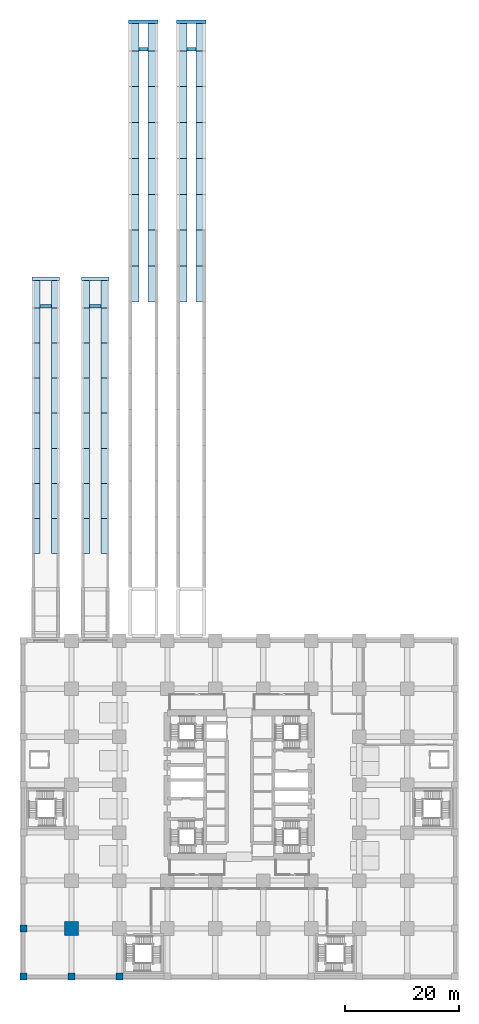
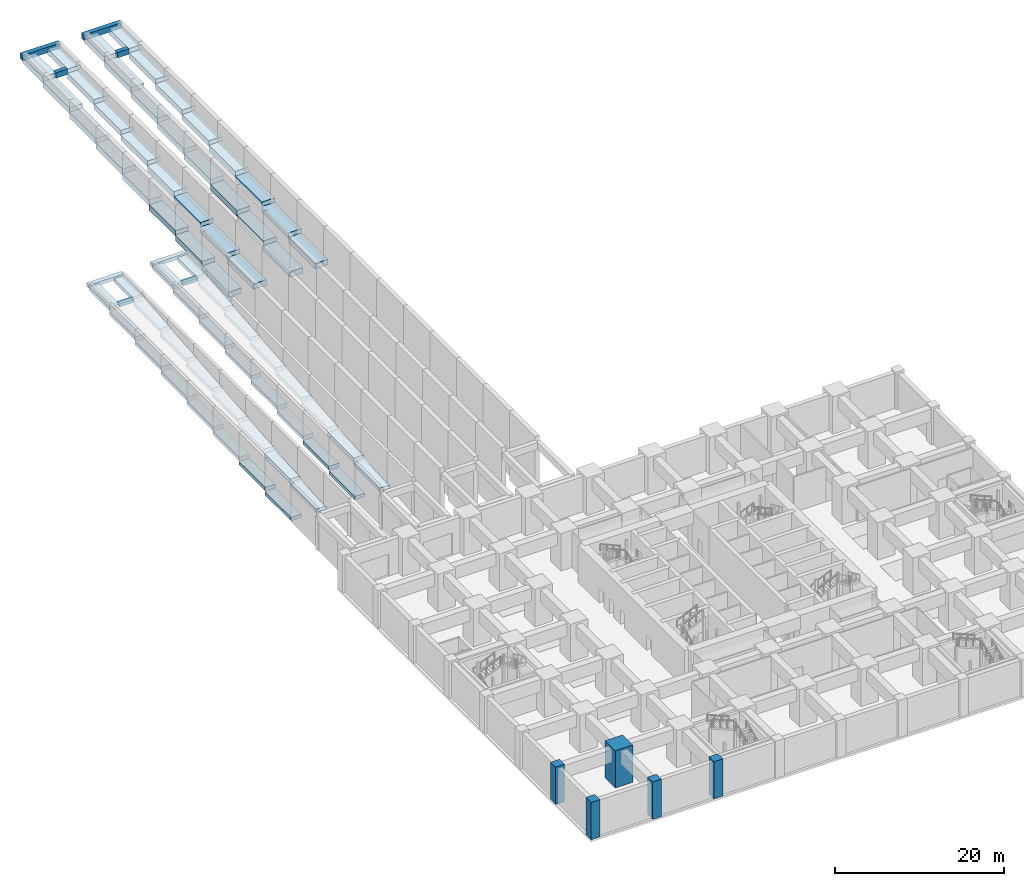
# One storey, part 1 of 20: 72 footings, 5 columns.
"""IFC4 building model written with IfcOpenShell, lengths in metres."""

from ifc_helpers import new_model, si_unit, direction, frame, origin, origin_2d, place, context, subcontext, project, spatial, rectangle, extrude, material, material_profile, profile_set, type_object, element, save


model = new_model("IFC4")

# Units and contexts
model_context = context("Model", 3, precision=1e-05, world=origin(), true_north=direction((0.0, 1.0)))
body_context = subcontext(model_context, "Body", "Model", "MODEL_VIEW")
ifc_project = project(units=[si_unit("LENGTHUNIT", "METRE"), si_unit("AREAUNIT", "SQUARE_METRE"), si_unit("VOLUMEUNIT", "CUBIC_METRE"), si_unit("PLANEANGLEUNIT", "RADIAN"), si_unit("MASSUNIT", "GRAM", prefix="KILO")], contexts=[model_context])

# Site, building, storey
site_placement = place(None, origin())
site = spatial("IfcSite", under=ifc_project, at=site_placement, CompositionType="ELEMENT")
building_placement = place(site_placement, origin())
building = spatial("IfcBuilding", under=site, at=building_placement, Name="Rekha Terrace Tower", CompositionType="ELEMENT")
storey_placement = place(building_placement, frame((0.0, 0.0, -5.39990234375)))
storey = spatial("IfcBuildingStorey", under=building, at=storey_placement, Name="B-01", CompositionType="ELEMENT", Elevation=-5.39990234375)

# Footings
ifc_material_1 = material(Name="Concrete M40", Category="concrete")
footing_type_1 = type_object("IfcFootingType", Name="FS1 1400x500 strip footing", PredefinedType="STRIP_FOOTING", material=ifc_material_1)
for number, where, z_axis, x_axis, name in (
    (1, (2.199951171875, 77.125, 0.054931640625), (0.0, 0.0, 1.0), (1.0, 0.0, 0.0), "Ramp 1 strip footing FS1 W4"),
    (2, (2.199951171875, 83.27490234375, 0.669921875), (0.0, 0.0, 1.0), (1.0, 0.0, 0.0), "Ramp 1 strip footing FS1 W5"),
    (3, (2.199951171875, 89.425048828125, 1.284912109375), (0.0, 0.0, 1.0), (1.0, 0.0, 0.0), "Ramp 1 strip footing FS1 W6"),
    (4, (2.199951171875, 95.574951171875, 1.89990234375), (0.0, 0.0, 1.0), (1.0, 0.0, 0.0), "Ramp 1 strip footing FS1 W7"),
    (5, (2.199951171875, 101.72509765625, 2.514892578125), (0.0, 0.0, 1.0), (1.0, 0.0, 0.0), "Ramp 1 strip footing FS1 W8"),
    (6, (2.199951171875, 107.875, 3.1298828125), (0.0, 0.0, 1.0), (1.0, 0.0, 0.0), "Ramp 1 strip footing FS1 W9"),
    (7, (2.199951171875, 114.02490234375, 3.744873046875), (0.0, 0.0, 1.0), (1.0, 0.0, 0.0), "Ramp 1 strip footing FS1 W10"),
):
    element("IfcFooting", number, at=place(storey_placement, frame(where, z_axis=z_axis, x_axis=x_axis)), inside=storey, type_object=footing_type_1, Name=name, PredefinedType="STRIP_FOOTING", context=body_context, shape_type="SweptSolid", body=[
        extrude(rectangle(XDim=1.39990234375, YDim=6.14990234375, at=origin_2d()), origin(), (0.0, 0.0, 1.0), 0.5),
    ])
footing_1_placement = place(storey_placement, frame((2.199951171875, 119.5, 4.35986328125), z_axis=(0.0, 0.0, 1.0), x_axis=(1.0, 0.0, 0.0)))
element("IfcFooting", 8, at=footing_1_placement, inside=storey, type_object=footing_type_1, Name="Ramp 1 strip footing FS1 W11", PredefinedType="STRIP_FOOTING", context=body_context, shape_type="SweptSolid", body=[
    extrude(rectangle(XDim=1.39990234375, YDim=4.800048828125, at=origin_2d()), origin(), (0.0, 0.0, 1.0), 0.5),
])
for number, where, z_axis, x_axis, name in (
    (9, (5.60009765625, 77.125, 0.054931640625), (0.0, 0.0, 1.0), (1.0, 0.0, 0.0), "Ramp 1 strip footing FS1 E4"),
    (10, (5.60009765625, 83.27490234375, 0.669921875), (0.0, 0.0, 1.0), (1.0, 0.0, 0.0), "Ramp 1 strip footing FS1 E5"),
    (11, (5.60009765625, 89.425048828125, 1.284912109375), (0.0, 0.0, 1.0), (1.0, 0.0, 0.0), "Ramp 1 strip footing FS1 E6"),
    (12, (5.60009765625, 95.574951171875, 1.89990234375), (0.0, 0.0, 1.0), (1.0, 0.0, 0.0), "Ramp 1 strip footing FS1 E7"),
    (13, (5.60009765625, 101.72509765625, 2.514892578125), (0.0, 0.0, 1.0), (1.0, 0.0, 0.0), "Ramp 1 strip footing FS1 E8"),
    (14, (5.60009765625, 107.875, 3.1298828125), (0.0, 0.0, 1.0), (1.0, 0.0, 0.0), "Ramp 1 strip footing FS1 E9"),
    (15, (5.60009765625, 114.02490234375, 3.744873046875), (0.0, 0.0, 1.0), (1.0, 0.0, 0.0), "Ramp 1 strip footing FS1 E10"),
):
    element("IfcFooting", number, at=place(storey_placement, frame(where, z_axis=z_axis, x_axis=x_axis)), inside=storey, type_object=footing_type_1, Name=name, PredefinedType="STRIP_FOOTING", context=body_context, shape_type="SweptSolid", body=[
        extrude(rectangle(XDim=1.39990234375, YDim=6.14990234375, at=origin_2d()), origin(), (0.0, 0.0, 1.0), 0.5),
    ])
footing_2_placement = place(storey_placement, frame((5.60009765625, 119.5, 4.35986328125), z_axis=(0.0, 0.0, 1.0), x_axis=(1.0, 0.0, 0.0)))
element("IfcFooting", 16, at=footing_2_placement, inside=storey, type_object=footing_type_1, Name="Ramp 1 strip footing FS1 E11", PredefinedType="STRIP_FOOTING", context=body_context, shape_type="SweptSolid", body=[
    extrude(rectangle(XDim=1.39990234375, YDim=4.800048828125, at=origin_2d()), origin(), (0.0, 0.0, 1.0), 0.5),
])
for number, where, z_axis, x_axis, name in (
    (17, (10.89990234375, 77.125, 0.054931640625), (0.0, 0.0, 1.0), (1.0, 0.0, 0.0), "Ramp 2 strip footing FS1 W4"),
    (18, (10.89990234375, 83.27490234375, 0.669921875), (0.0, 0.0, 1.0), (1.0, 0.0, 0.0), "Ramp 2 strip footing FS1 W5"),
    (19, (10.89990234375, 89.425048828125, 1.284912109375), (0.0, 0.0, 1.0), (1.0, 0.0, 0.0), "Ramp 2 strip footing FS1 W6"),
    (20, (10.89990234375, 95.574951171875, 1.89990234375), (0.0, 0.0, 1.0), (1.0, 0.0, 0.0), "Ramp 2 strip footing FS1 W7"),
    (21, (10.89990234375, 101.72509765625, 2.514892578125), (0.0, 0.0, 1.0), (1.0, 0.0, 0.0), "Ramp 2 strip footing FS1 W8"),
    (22, (10.89990234375, 107.875, 3.1298828125), (0.0, 0.0, 1.0), (1.0, 0.0, 0.0), "Ramp 2 strip footing FS1 W9"),
    (23, (10.89990234375, 114.02490234375, 3.744873046875), (0.0, 0.0, 1.0), (1.0, 0.0, 0.0), "Ramp 2 strip footing FS1 W10"),
):
    element("IfcFooting", number, at=place(storey_placement, frame(where, z_axis=z_axis, x_axis=x_axis)), inside=storey, type_object=footing_type_1, Name=name, PredefinedType="STRIP_FOOTING", context=body_context, shape_type="SweptSolid", body=[
        extrude(rectangle(XDim=1.39990234375, YDim=6.14990234375, at=origin_2d()), origin(), (0.0, 0.0, 1.0), 0.5),
    ])
footing_3_placement = place(storey_placement, frame((10.89990234375, 119.5, 4.35986328125), z_axis=(0.0, 0.0, 1.0), x_axis=(1.0, 0.0, 0.0)))
element("IfcFooting", 24, at=footing_3_placement, inside=storey, type_object=footing_type_1, Name="Ramp 2 strip footing FS1 W11", PredefinedType="STRIP_FOOTING", context=body_context, shape_type="SweptSolid", body=[
    extrude(rectangle(XDim=1.39990234375, YDim=4.800048828125, at=origin_2d()), origin(), (0.0, 0.0, 1.0), 0.5),
])
for number, where, z_axis, x_axis, name in (
    (25, (14.300048828125, 77.125, 0.054931640625), (0.0, 0.0, 1.0), (1.0, 0.0, 0.0), "Ramp 2 strip footing FS1 E4"),
    (26, (14.300048828125, 83.27490234375, 0.669921875), (0.0, 0.0, 1.0), (1.0, 0.0, 0.0), "Ramp 2 strip footing FS1 E5"),
    (27, (14.300048828125, 89.425048828125, 1.284912109375), (0.0, 0.0, 1.0), (1.0, 0.0, 0.0), "Ramp 2 strip footing FS1 E6"),
    (28, (14.300048828125, 95.574951171875, 1.89990234375), (0.0, 0.0, 1.0), (1.0, 0.0, 0.0), "Ramp 2 strip footing FS1 E7"),
    (29, (14.300048828125, 101.72509765625, 2.514892578125), (0.0, 0.0, 1.0), (1.0, 0.0, 0.0), "Ramp 2 strip footing FS1 E8"),
    (30, (14.300048828125, 107.875, 3.1298828125), (0.0, 0.0, 1.0), (1.0, 0.0, 0.0), "Ramp 2 strip footing FS1 E9"),
    (31, (14.300048828125, 114.02490234375, 3.744873046875), (0.0, 0.0, 1.0), (1.0, 0.0, 0.0), "Ramp 2 strip footing FS1 E10"),
):
    element("IfcFooting", number, at=place(storey_placement, frame(where, z_axis=z_axis, x_axis=x_axis)), inside=storey, type_object=footing_type_1, Name=name, PredefinedType="STRIP_FOOTING", context=body_context, shape_type="SweptSolid", body=[
        extrude(rectangle(XDim=1.39990234375, YDim=6.14990234375, at=origin_2d()), origin(), (0.0, 0.0, 1.0), 0.5),
    ])
footing_4_placement = place(storey_placement, frame((14.300048828125, 119.5, 4.35986328125), z_axis=(0.0, 0.0, 1.0), x_axis=(1.0, 0.0, 0.0)))
element("IfcFooting", 32, at=footing_4_placement, inside=storey, type_object=footing_type_1, Name="Ramp 2 strip footing FS1 E11", PredefinedType="STRIP_FOOTING", context=body_context, shape_type="SweptSolid", body=[
    extrude(rectangle(XDim=1.39990234375, YDim=4.800048828125, at=origin_2d()), origin(), (0.0, 0.0, 1.0), 0.5),
])
footing_type_2 = type_object("IfcFootingType", Name="FS2 1800x800 strip footing", PredefinedType="STRIP_FOOTING", material=ifc_material_1)
for number, where, z_axis, x_axis, name in (
    (33, (19.300048828125, 121.280029296875, -0.3359375), (0.0, 0.0, 1.0), (1.0, 0.0, 0.0), "Ramp 3 strip footing FS2 W11"),
    (34, (19.300048828125, 127.56005859375, 0.2919921875), (0.0, 0.0, 1.0), (1.0, 0.0, 0.0), "Ramp 3 strip footing FS2 W12"),
    (35, (19.300048828125, 133.840087890625, 0.919921875), (0.0, 0.0, 1.0), (1.0, 0.0, 0.0), "Ramp 3 strip footing FS2 W13"),
    (36, (19.300048828125, 140.1201171875, 1.5478515625), (0.0, 0.0, 1.0), (1.0, 0.0, 0.0), "Ramp 3 strip footing FS2 W14"),
    (37, (19.300048828125, 146.39990234375, 2.17578125), (0.0, 0.0, 1.0), (1.0, 0.0, 0.0), "Ramp 3 strip footing FS2 W15"),
    (38, (19.300048828125, 152.679931640625, 2.8037109375), (0.0, 0.0, 1.0), (1.0, 0.0, 0.0), "Ramp 3 strip footing FS2 W16"),
    (39, (19.300048828125, 158.9599609375, 3.431640625), (0.0, 0.0, 1.0), (1.0, 0.0, 0.0), "Ramp 3 strip footing FS2 W17"),
):
    element("IfcFooting", number, at=place(storey_placement, frame(where, z_axis=z_axis, x_axis=x_axis)), inside=storey, type_object=footing_type_2, Name=name, PredefinedType="STRIP_FOOTING", context=body_context, shape_type="SweptSolid", body=[
        extrude(rectangle(XDim=1.800048828125, YDim=6.280029296875, at=origin_2d()), origin(), (0.0, 0.0, 1.0), 0.800048828125),
    ])
footing_5_placement = place(storey_placement, frame((19.300048828125, 164.5, 4.06005859375), z_axis=(0.0, 0.0, 1.0), x_axis=(1.0, 0.0, 0.0)))
element("IfcFooting", 40, at=footing_5_placement, inside=storey, type_object=footing_type_2, Name="Ramp 3 strip footing FS2 W18", PredefinedType="STRIP_FOOTING", context=body_context, shape_type="SweptSolid", body=[
    extrude(rectangle(XDim=1.800048828125, YDim=4.800048828125, at=origin_2d()), origin(), (0.0, 0.0, 1.0), 0.800048828125),
])
for number, where, z_axis, x_axis, name in (
    (41, (22.699951171875, 121.280029296875, -0.3359375), (0.0, 0.0, 1.0), (1.0, 0.0, 0.0), "Ramp 3 strip footing FS2 E11"),
    (42, (22.699951171875, 127.56005859375, 0.2919921875), (0.0, 0.0, 1.0), (1.0, 0.0, 0.0), "Ramp 3 strip footing FS2 E12"),
    (43, (22.699951171875, 133.840087890625, 0.919921875), (0.0, 0.0, 1.0), (1.0, 0.0, 0.0), "Ramp 3 strip footing FS2 E13"),
    (44, (22.699951171875, 140.1201171875, 1.5478515625), (0.0, 0.0, 1.0), (1.0, 0.0, 0.0), "Ramp 3 strip footing FS2 E14"),
    (45, (22.699951171875, 146.39990234375, 2.17578125), (0.0, 0.0, 1.0), (1.0, 0.0, 0.0), "Ramp 3 strip footing FS2 E15"),
    (46, (22.699951171875, 152.679931640625, 2.8037109375), (0.0, 0.0, 1.0), (1.0, 0.0, 0.0), "Ramp 3 strip footing FS2 E16"),
    (47, (22.699951171875, 158.9599609375, 3.431640625), (0.0, 0.0, 1.0), (1.0, 0.0, 0.0), "Ramp 3 strip footing FS2 E17"),
):
    element("IfcFooting", number, at=place(storey_placement, frame(where, z_axis=z_axis, x_axis=x_axis)), inside=storey, type_object=footing_type_2, Name=name, PredefinedType="STRIP_FOOTING", context=body_context, shape_type="SweptSolid", body=[
        extrude(rectangle(XDim=1.800048828125, YDim=6.280029296875, at=origin_2d()), origin(), (0.0, 0.0, 1.0), 0.800048828125),
    ])
footing_6_placement = place(storey_placement, frame((22.699951171875, 164.5, 4.06005859375), z_axis=(0.0, 0.0, 1.0), x_axis=(1.0, 0.0, 0.0)))
element("IfcFooting", 48, at=footing_6_placement, inside=storey, type_object=footing_type_2, Name="Ramp 3 strip footing FS2 E18", PredefinedType="STRIP_FOOTING", context=body_context, shape_type="SweptSolid", body=[
    extrude(rectangle(XDim=1.800048828125, YDim=4.800048828125, at=origin_2d()), origin(), (0.0, 0.0, 1.0), 0.800048828125),
])
for number, where, z_axis, x_axis, name in (
    (49, (27.699951171875, 121.280029296875, -0.3359375), (0.0, 0.0, 1.0), (1.0, 0.0, 0.0), "Ramp 4 strip footing FS2 W11"),
    (50, (27.699951171875, 127.56005859375, 0.2919921875), (0.0, 0.0, 1.0), (1.0, 0.0, 0.0), "Ramp 4 strip footing FS2 W12"),
    (51, (27.699951171875, 133.840087890625, 0.919921875), (0.0, 0.0, 1.0), (1.0, 0.0, 0.0), "Ramp 4 strip footing FS2 W13"),
    (52, (27.699951171875, 140.1201171875, 1.5478515625), (0.0, 0.0, 1.0), (1.0, 0.0, 0.0), "Ramp 4 strip footing FS2 W14"),
    (53, (27.699951171875, 146.39990234375, 2.17578125), (0.0, 0.0, 1.0), (1.0, 0.0, 0.0), "Ramp 4 strip footing FS2 W15"),
    (54, (27.699951171875, 152.679931640625, 2.8037109375), (0.0, 0.0, 1.0), (1.0, 0.0, 0.0), "Ramp 4 strip footing FS2 W16"),
    (55, (27.699951171875, 158.9599609375, 3.431640625), (0.0, 0.0, 1.0), (1.0, 0.0, 0.0), "Ramp 4 strip footing FS2 W17"),
):
    element("IfcFooting", number, at=place(storey_placement, frame(where, z_axis=z_axis, x_axis=x_axis)), inside=storey, type_object=footing_type_2, Name=name, PredefinedType="STRIP_FOOTING", context=body_context, shape_type="SweptSolid", body=[
        extrude(rectangle(XDim=1.800048828125, YDim=6.280029296875, at=origin_2d()), origin(), (0.0, 0.0, 1.0), 0.800048828125),
    ])
footing_7_placement = place(storey_placement, frame((27.699951171875, 164.5, 4.06005859375), z_axis=(0.0, 0.0, 1.0), x_axis=(1.0, 0.0, 0.0)))
element("IfcFooting", 56, at=footing_7_placement, inside=storey, type_object=footing_type_2, Name="Ramp 4 strip footing FS2 W18", PredefinedType="STRIP_FOOTING", context=body_context, shape_type="SweptSolid", body=[
    extrude(rectangle(XDim=1.800048828125, YDim=4.800048828125, at=origin_2d()), origin(), (0.0, 0.0, 1.0), 0.800048828125),
])
for number, where, z_axis, x_axis, name in (
    (57, (31.10009765625, 121.280029296875, -0.3359375), (0.0, 0.0, 1.0), (1.0, 0.0, 0.0), "Ramp 4 strip footing FS2 E11"),
    (58, (31.10009765625, 127.56005859375, 0.2919921875), (0.0, 0.0, 1.0), (1.0, 0.0, 0.0), "Ramp 4 strip footing FS2 E12"),
    (59, (31.10009765625, 133.840087890625, 0.919921875), (0.0, 0.0, 1.0), (1.0, 0.0, 0.0), "Ramp 4 strip footing FS2 E13"),
    (60, (31.10009765625, 140.1201171875, 1.5478515625), (0.0, 0.0, 1.0), (1.0, 0.0, 0.0), "Ramp 4 strip footing FS2 E14"),
    (61, (31.10009765625, 146.39990234375, 2.17578125), (0.0, 0.0, 1.0), (1.0, 0.0, 0.0), "Ramp 4 strip footing FS2 E15"),
    (62, (31.10009765625, 152.679931640625, 2.8037109375), (0.0, 0.0, 1.0), (1.0, 0.0, 0.0), "Ramp 4 strip footing FS2 E16"),
    (63, (31.10009765625, 158.9599609375, 3.431640625), (0.0, 0.0, 1.0), (1.0, 0.0, 0.0), "Ramp 4 strip footing FS2 E17"),
):
    element("IfcFooting", number, at=place(storey_placement, frame(where, z_axis=z_axis, x_axis=x_axis)), inside=storey, type_object=footing_type_2, Name=name, PredefinedType="STRIP_FOOTING", context=body_context, shape_type="SweptSolid", body=[
        extrude(rectangle(XDim=1.800048828125, YDim=6.280029296875, at=origin_2d()), origin(), (0.0, 0.0, 1.0), 0.800048828125),
    ])
footing_8_placement = place(storey_placement, frame((31.10009765625, 164.5, 4.06005859375), z_axis=(0.0, 0.0, 1.0), x_axis=(1.0, 0.0, 0.0)))
element("IfcFooting", 64, at=footing_8_placement, inside=storey, type_object=footing_type_2, Name="Ramp 4 strip footing FS2 E18", PredefinedType="STRIP_FOOTING", context=body_context, shape_type="SweptSolid", body=[
    extrude(rectangle(XDim=1.800048828125, YDim=4.800048828125, at=origin_2d()), origin(), (0.0, 0.0, 1.0), 0.800048828125),
])
footing_type_3 = type_object("IfcFootingType", Name="RG1 600x500 ramp ground beam", PredefinedType="STRIP_FOOTING", material=ifc_material_1)
footing_9_placement = place(storey_placement, frame((3.89990234375, 117.39990234375, 4.35986328125), z_axis=(0.0, 0.0, 1.0), x_axis=(1.0, 0.0, 0.0)))
element("IfcFooting", 65, at=footing_9_placement, inside=storey, type_object=footing_type_3, Name="Ramp 1 ground beam at the end of the main run", PredefinedType="STRIP_FOOTING", context=body_context, shape_type="SweptSolid", body=[
    extrude(rectangle(XDim=2.0, YDim=0.60009765625, at=origin_2d()), origin(), (0.0, 0.0, 1.0), 0.5),
])
footing_10_placement = place(storey_placement, frame((3.89990234375, 122.199951171875, 4.599853515625), z_axis=(0.0, 0.0, 1.0), x_axis=(1.0, 0.0, 0.0)))
element("IfcFooting", 66, at=footing_10_placement, inside=storey, type_object=footing_type_3, Name="Ramp 1 ground beam at the ramp head", PredefinedType="STRIP_FOOTING", context=body_context, shape_type="SweptSolid", body=[
    extrude(rectangle(XDim=4.800048828125, YDim=0.60009765625, at=origin_2d()), origin(), (0.0, 0.0, 1.0), 0.5),
])
footing_11_placement = place(storey_placement, frame((12.60009765625, 117.39990234375, 4.35986328125), z_axis=(0.0, 0.0, 1.0), x_axis=(1.0, 0.0, 0.0)))
element("IfcFooting", 67, at=footing_11_placement, inside=storey, type_object=footing_type_3, Name="Ramp 2 ground beam at the end of the main run", PredefinedType="STRIP_FOOTING", context=body_context, shape_type="SweptSolid", body=[
    extrude(rectangle(XDim=2.0, YDim=0.60009765625, at=origin_2d()), origin(), (0.0, 0.0, 1.0), 0.5),
])
footing_12_placement = place(storey_placement, frame((12.60009765625, 122.199951171875, 4.599853515625), z_axis=(0.0, 0.0, 1.0), x_axis=(1.0, 0.0, 0.0)))
element("IfcFooting", 68, at=footing_12_placement, inside=storey, type_object=footing_type_3, Name="Ramp 2 ground beam at the ramp head", PredefinedType="STRIP_FOOTING", context=body_context, shape_type="SweptSolid", body=[
    extrude(rectangle(XDim=4.800048828125, YDim=0.60009765625, at=origin_2d()), origin(), (0.0, 0.0, 1.0), 0.5),
])
footing_type_4 = type_object("IfcFootingType", Name="RG2 600x800 ramp ground beam", PredefinedType="STRIP_FOOTING", material=ifc_material_1)
footing_13_placement = place(storey_placement, frame((21.0, 162.39990234375, 4.06005859375), z_axis=(0.0, 0.0, 1.0), x_axis=(1.0, 0.0, 0.0)))
element("IfcFooting", 69, at=footing_13_placement, inside=storey, type_object=footing_type_4, Name="Ramp 3 ground beam at the end of the main run", PredefinedType="STRIP_FOOTING", context=body_context, shape_type="SweptSolid", body=[
    extrude(rectangle(XDim=1.60009765625, YDim=0.60009765625, at=origin_2d()), origin(), (0.0, 0.0, 1.0), 0.800048828125),
])
footing_14_placement = place(storey_placement, frame((21.0, 167.199951171875, 4.2998046875), z_axis=(0.0, 0.0, 1.0), x_axis=(1.0, 0.0, 0.0)))
element("IfcFooting", 70, at=footing_14_placement, inside=storey, type_object=footing_type_4, Name="Ramp 3 ground beam at the ramp head", PredefinedType="STRIP_FOOTING", context=body_context, shape_type="SweptSolid", body=[
    extrude(rectangle(XDim=5.199951171875, YDim=0.60009765625, at=origin_2d()), origin(), (0.0, 0.0, 1.0), 0.800048828125),
])
footing_15_placement = place(storey_placement, frame((29.39990234375, 162.39990234375, 4.06005859375), z_axis=(0.0, 0.0, 1.0), x_axis=(1.0, 0.0, 0.0)))
element("IfcFooting", 71, at=footing_15_placement, inside=storey, type_object=footing_type_4, Name="Ramp 4 ground beam at the end of the main run", PredefinedType="STRIP_FOOTING", context=body_context, shape_type="SweptSolid", body=[
    extrude(rectangle(XDim=1.60009765625, YDim=0.60009765625, at=origin_2d()), origin(), (0.0, 0.0, 1.0), 0.800048828125),
])
footing_16_placement = place(storey_placement, frame((29.39990234375, 167.199951171875, 4.2998046875), z_axis=(0.0, 0.0, 1.0), x_axis=(1.0, 0.0, 0.0)))
element("IfcFooting", 72, at=footing_16_placement, inside=storey, type_object=footing_type_4, Name="Ramp 4 ground beam at the ramp head", PredefinedType="STRIP_FOOTING", context=body_context, shape_type="SweptSolid", body=[
    extrude(rectangle(XDim=5.199951171875, YDim=0.60009765625, at=origin_2d()), origin(), (0.0, 0.0, 1.0), 0.800048828125),
])

# Columns
ifc_material_2 = material(Name="Concrete M70", Category="concrete")
ifc_material_profile_1 = material_profile(ifc_material_2, rectangle(XDim=2.39990234375, YDim=2.39990234375, at=origin_2d()), Name="RC 2400x2400")
ifc_profile_set_1 = profile_set([ifc_material_profile_1], Name="Concrete M70")
column_type_1 = type_object("IfcColumnType", Name="C1 2400x2400 column", PredefinedType="COLUMN", material=ifc_profile_set_1)
column_placement = place(storey_placement, frame((8.39990234375, 8.39990234375, 0.0), z_axis=(0.0, 0.0, 1.0), x_axis=(1.0, 0.0, 0.0)))
element("IfcColumn", 73, at=column_placement, inside=storey, type_object=column_type_1, Name="Column C1 2/B B-01", PredefinedType="COLUMN", context=body_context, shape_type="SweptSolid", body=[
    extrude(rectangle(XDim=2.39990234375, YDim=2.39990234375, at=origin_2d()), origin(), (0.0, 0.0, 1.0), 5.39990234375),
])
ifc_material_3 = material(Name="Concrete M60", Category="concrete")
ifc_material_profile_2 = material_profile(ifc_material_3, rectangle(XDim=1.199951171875, YDim=1.199951171875, at=origin_2d()), Name="RC 1200x1200")
ifc_profile_set_2 = profile_set([ifc_material_profile_2], Name="Concrete M60")
column_type_2 = type_object("IfcColumnType", Name="C6 1200x1200 podium column", PredefinedType="COLUMN", material=ifc_profile_set_2)
for number, where, z_axis, x_axis, name in (
    (74, (0.0, 0.0, 0.0), (0.0, 0.0, 1.0), (1.0, 0.0, 0.0), "Column C6 1/A B-01"),
    (75, (0.0, 8.39990234375, 0.0), (0.0, 0.0, 1.0), (1.0, 0.0, 0.0), "Column C6 1/B B-01"),
    (76, (8.39990234375, 0.0, 0.0), (0.0, 0.0, 1.0), (1.0, 0.0, 0.0), "Column C6 2/A B-01"),
    (77, (16.800048828125, 0.0, 0.0), (0.0, 0.0, 1.0), (1.0, 0.0, 0.0), "Column C6 3/A B-01"),
):
    element("IfcColumn", number, at=place(storey_placement, frame(where, z_axis=z_axis, x_axis=x_axis)), inside=storey, type_object=column_type_2, Name=name, PredefinedType="COLUMN", context=body_context, shape_type="SweptSolid", body=[
        extrude(rectangle(XDim=1.199951171875, YDim=1.199951171875, at=origin_2d()), origin(), (0.0, 0.0, 1.0), 5.39990234375),
    ])

save(model, "model.ifc")
